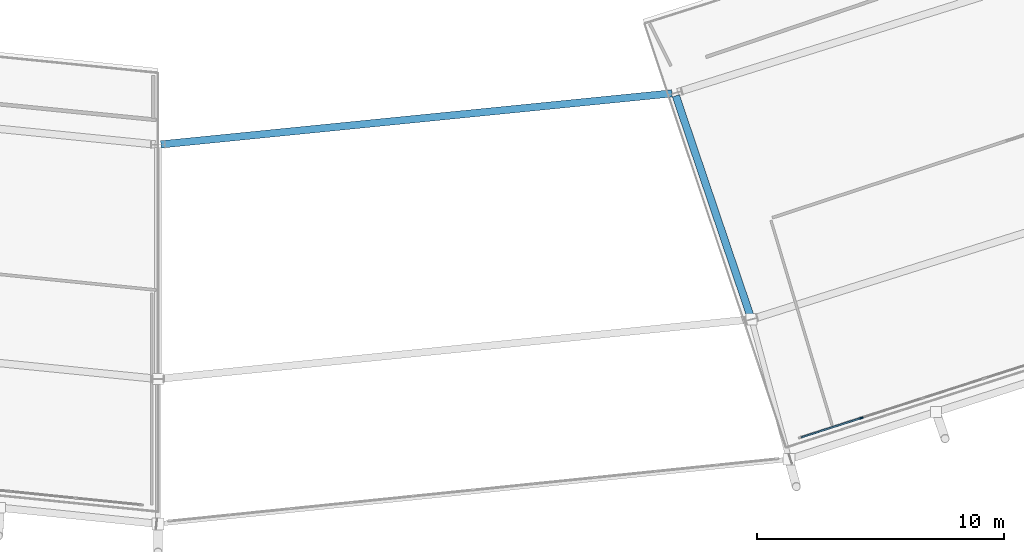
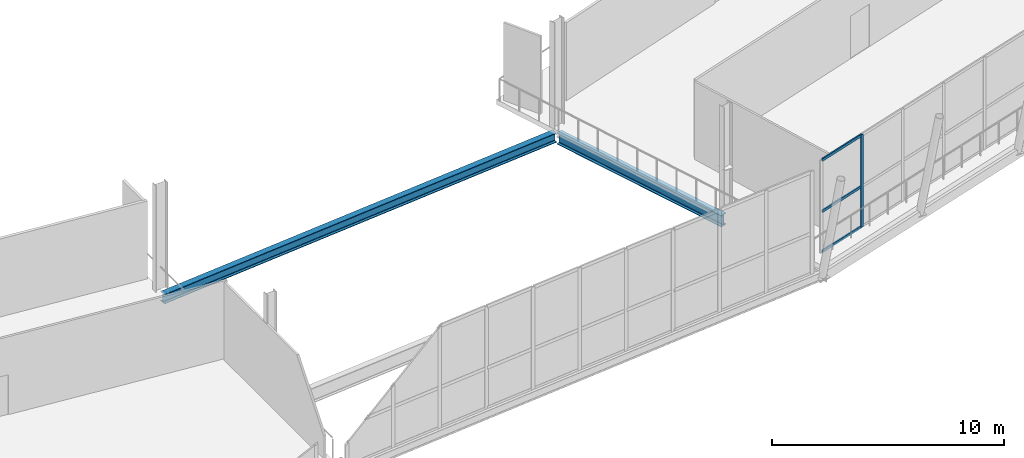
# One storey, part 24 of 99: 4 members, 2 beams, 1 element without a shape of its own.
"""IFC4 building model written with IfcOpenShell, lengths in metres."""

from ifc_helpers import new_model, si_unit, direction, frame, origin, origin_2d, place, context, subcontext, project, spatial, rectangle, i_section, extrude, material, material_profile, profile_set, type_object, element, aggregate, save


model = new_model("IFC4")

# Units and contexts
model_context = context("Model", 3, precision=1e-05, world=origin(), true_north=direction((0.0, 1.0)))
body_context = subcontext(model_context, "Body", "Model", "MODEL_VIEW")
ifc_project = project(units=[si_unit("LENGTHUNIT", "METRE"), si_unit("AREAUNIT", "SQUARE_METRE"), si_unit("VOLUMEUNIT", "CUBIC_METRE"), si_unit("PLANEANGLEUNIT", "RADIAN"), si_unit("MASSUNIT", "GRAM", prefix="KILO")], contexts=[model_context])

# Site, building, storey
site_placement = place(None, origin())
site = spatial("IfcSite", under=ifc_project, at=site_placement, CompositionType="ELEMENT")
building_placement = place(site_placement, origin())
building = spatial("IfcBuilding", under=site, at=building_placement, Name="Zlatoyarsky Gate Stadium", CompositionType="ELEMENT")
storey_placement = place(building_placement, frame((0.0, 0.0, 26.199951171875)))
storey = spatial("IfcBuildingStorey", under=building, at=storey_placement, Name="L05", CompositionType="ELEMENT", Elevation=26.199951171875)

# Curtain wall, members
ifc_material_1 = material(Name="Thermally broken anodised aluminium curtain wall", Category="aluminium")
curtain_wall_type = type_object("IfcCurtainWallType", Name="UNITISED SKYBOX RING GLAZING L05", PredefinedType="USERDEFINED", material=ifc_material_1)
curtain_wall_placement = place(storey_placement, origin())
curtain_wall = element("IfcCurtainWall", 1, at=curtain_wall_placement, inside=storey, type_object=curtain_wall_type, Name="Curtain wall CW-L05-19", ObjectType="UNITISED GLAZING", PredefinedType="USERDEFINED")
ifc_material_2 = material(Name="Anodised aluminium 6063-T6", Category="aluminium")
ifc_material_profile_1 = material_profile(ifc_material_2, rectangle(XDim=0.06494140625, YDim=0.159912109375, at=origin_2d()), Name="ALU 65X160")
ifc_profile_set_1 = profile_set([ifc_material_profile_1], Name="Anodised aluminium 6063-T6")
member_type_1 = type_object("IfcMemberType", Name="ALUMINIUM MULLION 65X160", PredefinedType="MULLION", material=ifc_profile_set_1)
member_1_placement = place(storey_placement, frame((139.522705078125, 7.41796875, 0.0), z_axis=(0.0, 0.0, 1.0), x_axis=(-0.305978007283, 0.952038580657, 0.0)))
member_1 = element("IfcMember", 2, at=member_1_placement, type_object=member_type_1, Name="CW-UG5 mullion 2", PredefinedType="MULLION", context=body_context, shape_type="SweptSolid", body=[
    extrude(rectangle(XDim=0.06494140625, YDim=0.159912109375, at=origin_2d()), origin(), (0.0, 0.0, 1.0), 4.880126953125),
])
ifc_material_profile_2 = material_profile(ifc_material_2, rectangle(XDim=0.06494140625, YDim=0.139892578125, at=origin_2d()), Name="ALU 65X140")
ifc_profile_set_2 = profile_set([ifc_material_profile_2], Name="Anodised aluminium 6063-T6")
member_type_2 = type_object("IfcMemberType", Name="ALUMINIUM TRANSOM 65X140", PredefinedType="USERDEFINED", material=ifc_profile_set_2)
member_2_placement = place(storey_placement, frame((137.091064453125, 6.636474609375, 0.032470703125), z_axis=(0.952045685445, 0.305955900133, 0.0), x_axis=(-0.305955900133, 0.952045685445, 0.0)))
member_2 = element("IfcMember", 3, at=member_2_placement, type_object=member_type_2, Name="CW-UG5 transom 1.1", ObjectType="TRANSOM", PredefinedType="USERDEFINED", context=body_context, shape_type="SweptSolid", body=[
    extrude(rectangle(XDim=0.06494140625, YDim=0.139892578125, at=origin_2d()), origin(), (0.0, 0.0, 1.0), 2.521484375),
])
member_3_placement = place(storey_placement, frame((137.091064453125, 6.636474609375, 2.150146484375), z_axis=(0.952045685445, 0.305955900133, 0.0), x_axis=(-0.305955900133, 0.952045685445, 0.0)))
member_3 = element("IfcMember", 4, at=member_3_placement, type_object=member_type_2, Name="CW-UG5 transom 1.2", ObjectType="TRANSOM", PredefinedType="USERDEFINED", context=body_context, shape_type="SweptSolid", body=[
    extrude(rectangle(XDim=0.06494140625, YDim=0.139892578125, at=origin_2d()), origin(), (0.0, 0.0, 1.0), 2.521484375),
])
member_4_placement = place(storey_placement, frame((137.091064453125, 6.636474609375, 4.84765625), z_axis=(0.952045685445, 0.305955900133, 0.0), x_axis=(-0.305955900133, 0.952045685445, 0.0)))
member_4 = element("IfcMember", 5, at=member_4_placement, type_object=member_type_2, Name="CW-UG5 transom 1.3", ObjectType="TRANSOM", PredefinedType="USERDEFINED", context=body_context, shape_type="SweptSolid", body=[
    extrude(rectangle(XDim=0.06494140625, YDim=0.139892578125, at=origin_2d()), origin(), (0.0, 0.0, 1.0), 2.521484375),
])
aggregate(curtain_wall, [member_1, member_2, member_3, member_4])

# Beams
ifc_material_3 = material(Name="Steel S355", Category="steel")
ifc_material_profile_3 = material_profile(ifc_material_3, i_section(OverallWidth=0.300048828125, OverallDepth=0.5, WebThickness=0.014404296875, FlangeThickness=0.028076171875, FilletRadius=0.027099609375, at=origin_2d()), Name="HEB 500")
ifc_profile_set_3 = profile_set([ifc_material_profile_3], Name="Steel S355")
beam_type_1 = type_object("IfcBeamType", Name="STEEL PRIMARY GIRDER HEB 500", PredefinedType="BEAM", material=ifc_profile_set_3)
beam_1_placement = place(storey_placement, frame((111.119384765625, 18.511962890625, -0.510009765625), z_axis=(0.995040903182, 0.099466582298, 0.0), x_axis=(-0.099466582298, 0.995040903182, 0.0)))
element("IfcBeam", 6, at=beam_1_placement, inside=storey, type_object=beam_type_1, Name="Beam G-HEB500 BM-L05-CRB-18", PredefinedType="BEAM", context=body_context, shape_type="SweptSolid", body=[
    extrude(i_section(OverallWidth=0.300048828125, OverallDepth=0.5, WebThickness=0.014404296875, FlangeThickness=0.028076171875, FilletRadius=0.027099609375, at=origin_2d()), origin(), (0.0, 0.0, 1.0), 20.828857421875),
])
ifc_material_profile_4 = material_profile(ifc_material_3, i_section(OverallWidth=0.300048828125, OverallDepth=0.60009765625, WebThickness=0.015380859375, FlangeThickness=0.030029296875, FilletRadius=0.027099609375, at=origin_2d()), Name="HEB 600")
ifc_profile_set_4 = profile_set([ifc_material_profile_4], Name="Steel S355")
beam_type_2 = type_object("IfcBeamType", Name="STEEL PRIMARY GIRDER HEB 600", PredefinedType="BEAM", material=ifc_profile_set_4)
beam_2_placement = place(storey_placement, frame((132.002685546875, 20.48193359375, -0.56005859375), z_axis=(0.320612225581, -0.947210536686, 0.0), x_axis=(0.947210536686, 0.320612225581, 0.0)))
element("IfcBeam", 7, at=beam_2_placement, inside=storey, type_object=beam_type_2, Name="Beam G-HEB600 BM-L05-RBC-19", PredefinedType="BEAM", context=body_context, shape_type="SweptSolid", body=[
    extrude(i_section(OverallWidth=0.300048828125, OverallDepth=0.60009765625, WebThickness=0.015380859375, FlangeThickness=0.030029296875, FilletRadius=0.027099609375, at=origin_2d()), origin(), (0.0, 0.0, 1.0), 9.44775390625),
])

save(model, "model.ifc")
